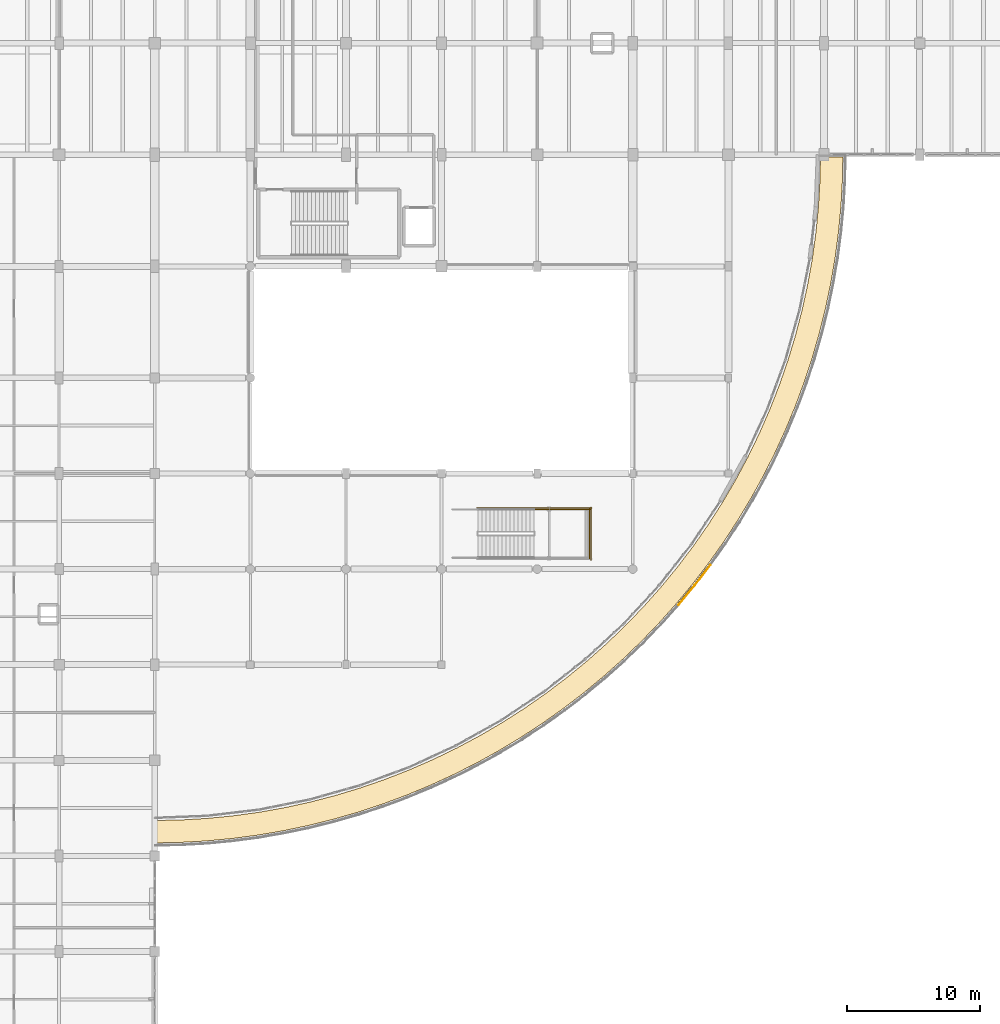
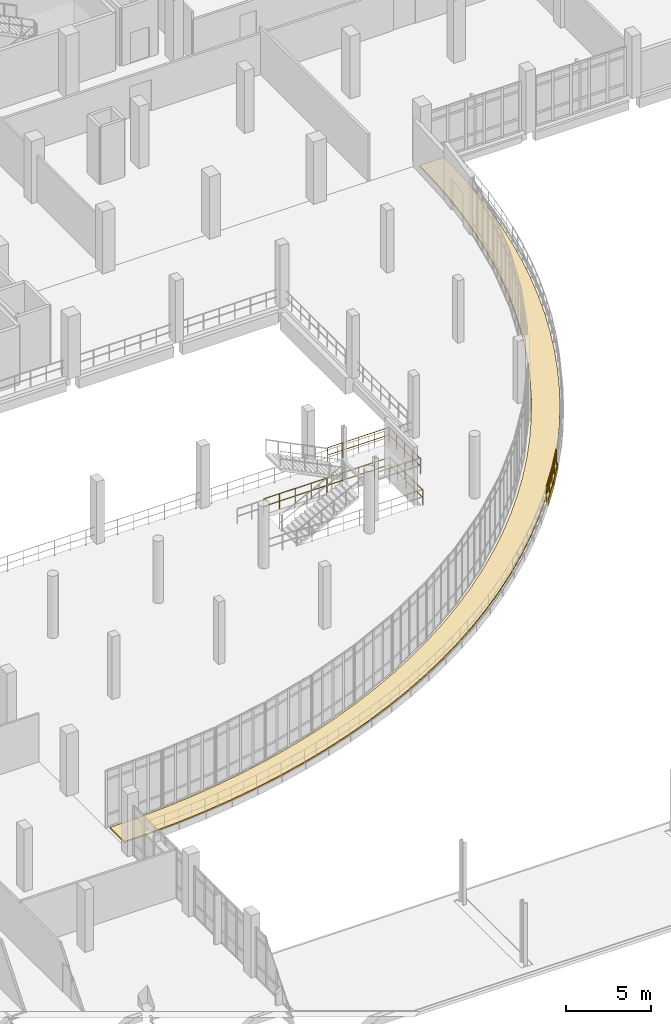
# One storey, part 125 of 134: 6 railings, 3 coverings.
"""IFC4 building model written with IfcOpenShell, lengths in metres."""

from ifc_helpers import new_model, si_unit, direction, frame, origin, origin_2d, place, context, subcontext, project, spatial, polyline, rectangle, circle, outline, extrude, material, layer, layer_set, type_object, element, save


model = new_model("IFC4")

# Units and contexts
model_context = context("Model", 3, precision=1e-05, world=origin(), true_north=direction((0.0, 1.0)))
body_context = subcontext(model_context, "Body", "Model", "MODEL_VIEW")
ifc_project = project(units=[si_unit("LENGTHUNIT", "METRE"), si_unit("AREAUNIT", "SQUARE_METRE"), si_unit("VOLUMEUNIT", "CUBIC_METRE"), si_unit("PLANEANGLEUNIT", "RADIAN"), si_unit("MASSUNIT", "GRAM", prefix="KILO")], contexts=[model_context])

# Site, building, storey
site_placement = place(None, origin())
site = spatial("IfcSite", under=ifc_project, at=site_placement, CompositionType="ELEMENT")
building_placement = place(site_placement, origin())
building = spatial("IfcBuilding", under=site, at=building_placement, Name="Kalluvel Institute of Natural Sciences", CompositionType="ELEMENT")
storey_placement = place(building_placement, frame((0.0, 0.0, 5.39990234375)))
storey = spatial("IfcBuildingStorey", under=building, at=storey_placement, Name="L01", CompositionType="ELEMENT", Elevation=5.39990234375)

# Coverings
ifc_material_1 = material(Name="Sadarahalli Grey Granite Ashlar Concrete M40", Category="masonry")
ifc_layer_1 = layer(ifc_material_1, 0.044921875)
ifc_layer_set_1 = layer_set([ifc_layer_1], Name="Sadarahalli Grey Granite Ashlar Concrete M40")
covering_type_1 = type_object("IfcCoveringType", Name="COV-CLAD-STONE", PredefinedType="CLADDING", material=ifc_layer_set_1)
covering_1_placement = place(storey_placement, frame((75.642578125, 69.623291015625, -0.31982421875), z_axis=(0.0, 0.0, 1.0), x_axis=(0.637961754089, 0.770068049148, 0.0)))
element("IfcCovering", 1, at=covering_1_placement, inside=storey, type_object=covering_type_1, Name="L01 curved terrace Sadarahalli stone spandrel fascia 226", PredefinedType="CLADDING", context=body_context, shape_type="SweptSolid", body=[
    extrude(rectangle(XDim=1.904541015625, YDim=0.054931640625, at=origin_2d()), origin(), (0.0, 0.0, 1.0), 0.47998046875),
])
covering_2_placement = place(storey_placement, frame((76.85498046875, 71.143798828125, -0.31982421875), z_axis=(0.0, 0.0, 1.0), x_axis=(0.608761429009, 0.793353340291, 0.0)))
element("IfcCovering", 2, at=covering_2_placement, inside=storey, type_object=covering_type_1, Name="L01 curved terrace Sadarahalli stone spandrel fascia 227", PredefinedType="CLADDING", context=body_context, shape_type="SweptSolid", body=[
    extrude(rectangle(XDim=1.90478515625, YDim=0.054931640625, at=origin_2d()), origin(), (0.0, 0.0, 1.0), 0.47998046875),
])
ifc_material_2 = material(Name="Planted Sedum and Native Flora Green-Roof Build-Up", Category="earth")
ifc_layer_2 = layer(ifc_material_2, 0.090087890625)
ifc_layer_set_2 = layer_set([ifc_layer_2], Name="Planted Sedum and Native Flora Green-Roof Build-Up")
covering_type_2 = type_object("IfcCoveringType", Name="COV-TER-PLANTED", PredefinedType="ROOFING", material=ifc_layer_set_2)
covering_3_placement = place(storey_placement, origin())
element("IfcCovering", 3, at=covering_3_placement, inside=storey, type_object=covering_type_2, Name="L01 curved stepped botanical planted garden strip", PredefinedType="ROOFING", context=body_context, shape_type="SweptSolid", body=[
    extrude(outline(polyline([(35.780029296875, 50.9833984375), (35.780029296875, 52.673583984375), (37.568115234375, 52.70849609375), (39.533203125, 52.824462890625), (41.4921875, 53.017333984375), (43.442138671875, 53.287109375), (45.3798828125, 53.63330078125), (47.302490234375, 54.054931640625), (49.20751953125, 54.552001953125), (51.091064453125, 55.12353515625), (52.95068359375, 55.768310546875), (54.783935546875, 56.48583984375), (56.58740234375, 57.274658203125), (58.3583984375, 58.1337890625), (60.094482421875, 59.061767578125), (61.79296875, 60.05712890625), (63.45068359375, 61.118408203125), (65.065673828125, 62.243896484375), (66.63525390625, 63.431884765625), (68.15673828125, 64.680908203125), (69.62841796875, 65.98828125), (71.04736328125, 67.352783203125), (72.41162109375, 68.771728515625), (73.71923828125, 70.2431640625), (74.968017578125, 71.764892578125), (76.156005859375, 73.334228515625), (77.281494140625, 74.94921875), (78.343017578125, 76.607177734375), (79.33837890625, 78.305419921875), (80.26611328125, 80.04150390625), (81.125244140625, 81.8125), (81.9140625, 83.6162109375), (82.631591796875, 85.44921875), (83.276611328125, 87.30908203125), (83.847900390625, 89.192626953125), (84.344970703125, 91.097412109375), (84.766845703125, 93.02001953125), (85.11279296875, 94.9580078125), (85.382568359375, 96.90771484375), (85.575439453125, 98.866943359375), (85.69140625, 100.831787109375), (85.7265625, 102.6201171875), (87.41650390625, 102.6201171875), (87.3837890625, 100.8623046875), (87.275146484375, 98.927490234375), (87.093994140625, 96.998046875), (86.84130859375, 95.07666015625), (86.5166015625, 93.166015625), (86.120849609375, 91.26904296875), (85.654296875, 89.387939453125), (85.117919921875, 87.52587890625), (84.511962890625, 85.68505859375), (83.837890625, 83.8681640625), (83.09619140625, 82.07763671875), (82.2880859375, 80.316162109375), (81.414794921875, 78.586181640625), (80.477294921875, 76.889892578125), (79.477294921875, 75.22998046875), (78.415771484375, 73.60888671875), (77.294189453125, 72.0283203125), (76.114501953125, 70.49072265625), (74.8779296875, 68.99853515625), (73.586669921875, 67.553466796875), (72.2421875, 66.15771484375), (70.8466796875, 64.813232421875), (69.401611328125, 63.52197265625), (67.9091796875, 62.28564453125), (66.37158203125, 61.105712890625), (64.791259765625, 59.984375), (63.169921875, 58.922607421875), (61.510009765625, 57.922607421875), (59.81396484375, 56.985107421875), (58.083984375, 56.11181640625), (56.322509765625, 55.3037109375), (54.531982421875, 54.562255859375), (52.715087890625, 53.887939453125), (50.874267578125, 53.2822265625), (49.011962890625, 52.745849609375), (47.131103515625, 52.279296875), (45.23388671875, 51.88330078125), (43.323486328125, 51.558837890625), (41.402099609375, 51.305908203125), (39.472412109375, 51.125), (37.53759765625, 51.016357421875), (35.780029296875, 50.9833984375)])), origin(), (0.0, 0.0, 1.0), 0.090087890625),
])

# Railings
ifc_material_3 = material(Name="Steel E350 Grade 350", Category="steel")
railing_type_1 = type_object("IfcRailingType", Name="RL-BAL-EXT", PredefinedType="BALUSTRADE", material=ifc_material_3)
railing_1_placement = place(storey_placement, frame((74.96142578125, 68.9267578125, 0.0)))
element("IfcRailing", 4, at=railing_1_placement, inside=storey, type_object=railing_type_1, Name="L01 curved atrium terrace balustrade", PredefinedType="BALUSTRADE", context=body_context, shape_type="SweptSolid", body=[
    extrude(circle(Radius=0.02392578125, at=origin_2d()), frame((0.0, 0.0, 1.09619140625), z_axis=(0.63801786475, 0.770021560906, 0.0), x_axis=(-0.770021560906, 0.63801786475, 0.0)), (0.0, 0.0, 1.0), 1.94189453125),
    extrude(circle(Radius=0.02392578125, at=origin_2d()), frame((0.0, 0.0, 0.56005859375), z_axis=(0.63801786475, 0.770021560906, 0.0), x_axis=(-0.770021560906, 0.63801786475, 0.0)), (0.0, 0.0, 1.0), 1.94189453125),
    extrude(circle(Radius=0.02099609375, at=origin_2d()), origin(), (0.0, 0.0, 1.0), 1.072021484375),
    extrude(circle(Radius=0.02099609375, at=origin_2d()), frame((0.61962890625, 0.74755859375, 0.0)), (0.0, 0.0, 1.0), 1.072021484375),
    extrude(circle(Radius=0.02099609375, at=origin_2d()), frame((1.239013671875, 1.495361328125, 0.0)), (0.0, 0.0, 1.0), 1.072021484375),
])
railing_2_placement = place(storey_placement, frame((76.200439453125, 70.422119140625, 0.0)))
element("IfcRailing", 5, at=railing_2_placement, inside=storey, type_object=railing_type_1, Name="L01 curved atrium terrace balustrade", PredefinedType="BALUSTRADE", context=body_context, shape_type="SweptSolid", body=[
    extrude(circle(Radius=0.02392578125, at=origin_2d()), frame((0.0, 0.0, 1.09619140625), z_axis=(0.608793027544, 0.793329092883, 0.0), x_axis=(-0.793329092883, 0.608793027544, 0.0)), (0.0, 0.0, 1.0), 1.942138671875),
    extrude(circle(Radius=0.02392578125, at=origin_2d()), frame((0.0, 0.0, 0.56005859375), z_axis=(0.608793027544, 0.793329092883, 0.0), x_axis=(-0.793329092883, 0.608793027544, 0.0)), (0.0, 0.0, 1.0), 1.942138671875),
    extrude(circle(Radius=0.02099609375, at=origin_2d()), origin(), (0.0, 0.0, 1.0), 1.072021484375),
    extrude(circle(Radius=0.02099609375, at=origin_2d()), frame((0.59130859375, 0.7705078125, 0.0)), (0.0, 0.0, 1.0), 1.072021484375),
    extrude(circle(Radius=0.02099609375, at=origin_2d()), frame((1.182373046875, 1.540771484375, 0.0)), (0.0, 0.0, 1.0), 1.072021484375),
])
ifc_material_4 = material(Name="Galvanized Fire-Rated Steel", Category="steel")
railing_type_2 = type_object("IfcRailingType", Name="RL-GD-STAIR", PredefinedType="BALUSTRADE", material=ifc_material_4)
railing_3_placement = place(storey_placement, frame((64.14990234375, 76.10009765625, 2.25)))
element("IfcRailing", 6, at=railing_3_placement, inside=storey, type_object=railing_type_2, Name="L01 ST6 stair guard 4", PredefinedType="BALUSTRADE", context=body_context, shape_type="SweptSolid", body=[
    extrude(circle(Radius=0.02392578125, at=origin_2d()), frame((0.0, 0.0, 1.09619140625), z_axis=(1.0, 0.0, 0.0), x_axis=(0.0, 1.0, 0.0)), (0.0, 0.0, 1.0), 4.25),
    extrude(circle(Radius=0.02392578125, at=origin_2d()), frame((0.0, 0.0, 0.56005859375), z_axis=(1.0, 0.0, 0.0), x_axis=(0.0, 1.0, 0.0)), (0.0, 0.0, 1.0), 4.25),
    extrude(circle(Radius=0.02099609375, at=origin_2d()), origin(), (0.0, 0.0, 1.0), 1.072021484375),
    extrude(circle(Radius=0.02099609375, at=origin_2d()), frame((1.0625, 0.0, 0.0)), (0.0, 0.0, 1.0), 1.072021484375),
    extrude(circle(Radius=0.02099609375, at=origin_2d()), frame((2.125, 0.0, 0.0)), (0.0, 0.0, 1.0), 1.072021484375),
    extrude(circle(Radius=0.02099609375, at=origin_2d()), frame((3.1875, 0.0, 0.0)), (0.0, 0.0, 1.0), 1.072021484375),
    extrude(circle(Radius=0.02099609375, at=origin_2d()), frame((4.25, 0.0, 0.0)), (0.0, 0.0, 1.0), 1.072021484375),
])
railing_4_placement = place(storey_placement, frame((68.35009765625, 72.39990234375, 2.25)))
element("IfcRailing", 7, at=railing_4_placement, inside=storey, type_object=railing_type_2, Name="L01 ST6 stair guard 5", PredefinedType="BALUSTRADE", context=body_context, shape_type="SweptSolid", body=[
    extrude(circle(Radius=0.02392578125, at=origin_2d()), frame((0.0, 0.0, 1.09619140625), z_axis=(0.0, 1.0, 0.0), x_axis=(-1.0, 0.0, 0.0)), (0.0, 0.0, 1.0), 3.75),
    extrude(circle(Radius=0.02392578125, at=origin_2d()), frame((0.0, 0.0, 0.56005859375), z_axis=(0.0, 1.0, 0.0), x_axis=(-1.0, 0.0, 0.0)), (0.0, 0.0, 1.0), 3.75),
    extrude(circle(Radius=0.02099609375, at=origin_2d()), origin(), (0.0, 0.0, 1.0), 1.072021484375),
    extrude(circle(Radius=0.02099609375, at=origin_2d()), frame((0.0, 0.9375, 0.0)), (0.0, 0.0, 1.0), 1.072021484375),
    extrude(circle(Radius=0.02099609375, at=origin_2d()), frame((0.0, 1.875, 0.0)), (0.0, 0.0, 1.0), 1.072021484375),
    extrude(circle(Radius=0.02099609375, at=origin_2d()), frame((0.0, 2.8125, 0.0)), (0.0, 0.0, 1.0), 1.072021484375),
    extrude(circle(Radius=0.02099609375, at=origin_2d()), frame((0.0, 3.75, 0.0)), (0.0, 0.0, 1.0), 1.072021484375),
])
railing_5_placement = place(storey_placement, frame((59.85009765625, 76.199951171875, 0.0)))
element("IfcRailing", 8, at=railing_5_placement, inside=storey, type_object=railing_type_2, Name="L01 ST6 stair guard 11", PredefinedType="BALUSTRADE", context=body_context, shape_type="SweptSolid", body=[
    extrude(circle(Radius=0.02392578125, at=origin_2d()), frame((0.0, 0.0, 1.09619140625), z_axis=(1.0, 0.0, 0.0), x_axis=(0.0, 1.0, 0.0)), (0.0, 0.0, 1.0), 8.64990234375),
    extrude(circle(Radius=0.02392578125, at=origin_2d()), frame((0.0, 0.0, 0.56005859375), z_axis=(1.0, 0.0, 0.0), x_axis=(0.0, 1.0, 0.0)), (0.0, 0.0, 1.0), 8.64990234375),
    extrude(circle(Radius=0.02099609375, at=origin_2d()), origin(), (0.0, 0.0, 1.0), 1.072021484375),
    extrude(circle(Radius=0.02099609375, at=origin_2d()), frame((1.081298828125, 0.0, 0.0)), (0.0, 0.0, 1.0), 1.072021484375),
    extrude(circle(Radius=0.02099609375, at=origin_2d()), frame((2.16259765625, 0.0, 0.0)), (0.0, 0.0, 1.0), 1.072021484375),
    extrude(circle(Radius=0.02099609375, at=origin_2d()), frame((3.24365234375, 0.0, 0.0)), (0.0, 0.0, 1.0), 1.072021484375),
    extrude(circle(Radius=0.02099609375, at=origin_2d()), frame((4.324951171875, 0.0, 0.0)), (0.0, 0.0, 1.0), 1.072021484375),
    extrude(circle(Radius=0.02099609375, at=origin_2d()), frame((5.40625, 0.0, 0.0)), (0.0, 0.0, 1.0), 1.072021484375),
    extrude(circle(Radius=0.02099609375, at=origin_2d()), frame((6.4873046875, 0.0, 0.0)), (0.0, 0.0, 1.0), 1.072021484375),
    extrude(circle(Radius=0.02099609375, at=origin_2d()), frame((7.568603515625, 0.0, 0.0)), (0.0, 0.0, 1.0), 1.072021484375),
    extrude(circle(Radius=0.02099609375, at=origin_2d()), frame((8.64990234375, 0.0, 0.0)), (0.0, 0.0, 1.0), 1.072021484375),
])
railing_6_placement = place(storey_placement, frame((68.449951171875, 72.300048828125, 0.0)))
element("IfcRailing", 9, at=railing_6_placement, inside=storey, type_object=railing_type_2, Name="L01 ST6 stair guard 12", PredefinedType="BALUSTRADE", context=body_context, shape_type="SweptSolid", body=[
    extrude(circle(Radius=0.02392578125, at=origin_2d()), frame((0.0, 0.0, 1.09619140625), z_axis=(0.0, 1.0, 0.0), x_axis=(-1.0, 0.0, 0.0)), (0.0, 0.0, 1.0), 3.949951171875),
    extrude(circle(Radius=0.02392578125, at=origin_2d()), frame((0.0, 0.0, 0.56005859375), z_axis=(0.0, 1.0, 0.0), x_axis=(-1.0, 0.0, 0.0)), (0.0, 0.0, 1.0), 3.949951171875),
    extrude(circle(Radius=0.02099609375, at=origin_2d()), origin(), (0.0, 0.0, 1.0), 1.072021484375),
    extrude(circle(Radius=0.02099609375, at=origin_2d()), frame((0.0, 0.987548828125, 0.0)), (0.0, 0.0, 1.0), 1.072021484375),
    extrude(circle(Radius=0.02099609375, at=origin_2d()), frame((0.0, 1.97509765625, 0.0)), (0.0, 0.0, 1.0), 1.072021484375),
    extrude(circle(Radius=0.02099609375, at=origin_2d()), frame((0.0, 2.96240234375, 0.0)), (0.0, 0.0, 1.0), 1.072021484375),
    extrude(circle(Radius=0.02099609375, at=origin_2d()), frame((0.0, 3.949951171875, 0.0)), (0.0, 0.0, 1.0), 1.072021484375),
])

save(model, "model.ifc")
